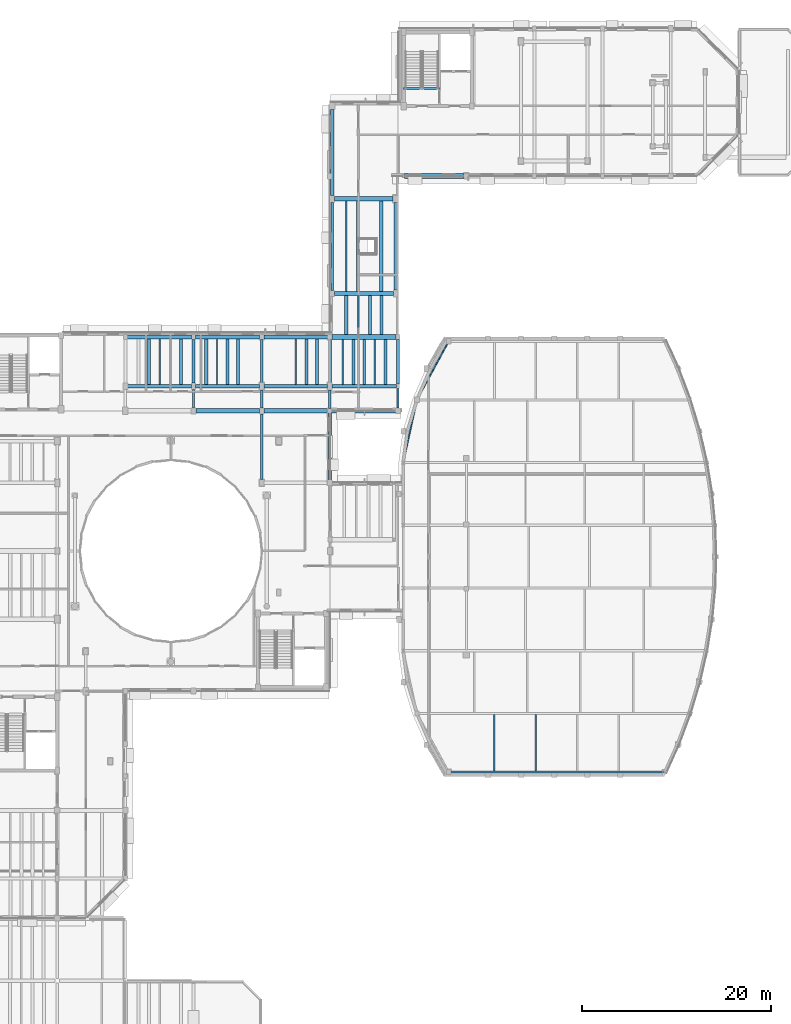
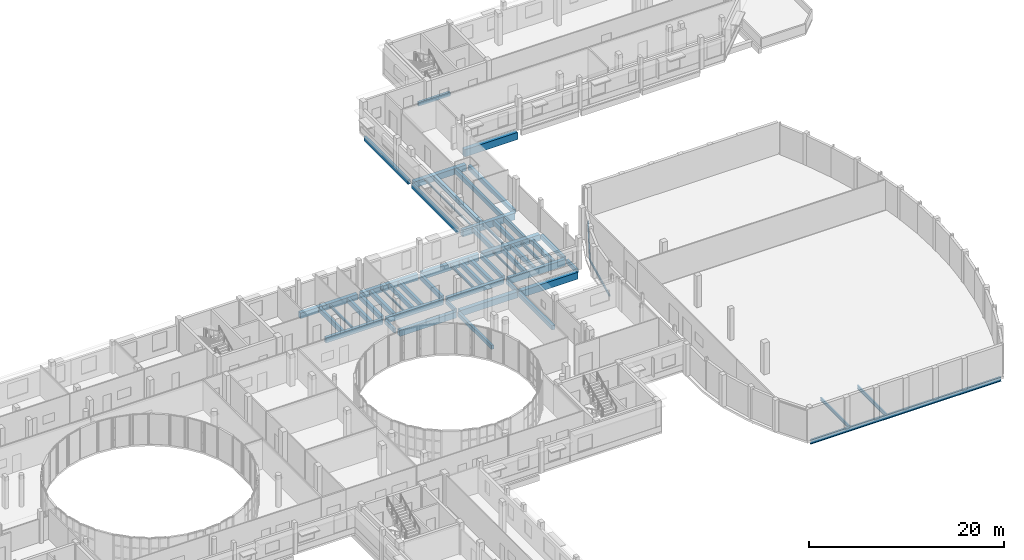
# One storey, part 49 of 105: 55 beams.
"""IFC4 building model written with IfcOpenShell, lengths in metres."""

from ifc_helpers import new_model, si_unit, direction, frame, origin, origin_2d, place, context, subcontext, project, spatial, rectangle, hollow_rectangle, i_section, extrude, material, material_profile, profile_set, type_object, element, save


model = new_model("IFC4")

# Units and contexts
model_context = context("Model", 3, precision=1e-05, world=origin(), true_north=direction((0.0, 1.0)))
body_context = subcontext(model_context, "Body", "Model", "MODEL_VIEW")
ifc_project = project(units=[si_unit("LENGTHUNIT", "METRE"), si_unit("AREAUNIT", "SQUARE_METRE"), si_unit("VOLUMEUNIT", "CUBIC_METRE"), si_unit("PLANEANGLEUNIT", "RADIAN"), si_unit("MASSUNIT", "GRAM", prefix="KILO")], contexts=[model_context])

# Site, building, storey
site_placement = place(None, origin())
site = spatial("IfcSite", under=ifc_project, at=site_placement, CompositionType="ELEMENT")
building_placement = place(site_placement, origin())
building = spatial("IfcBuilding", under=site, at=building_placement, Name="Kelanivale Promenade Academy", CompositionType="ELEMENT")
storey_placement = place(building_placement, frame((0.0, 0.0, 4.199951171875)))
storey = spatial("IfcBuildingStorey", under=building, at=storey_placement, Name="L01", CompositionType="ELEMENT", Elevation=4.199951171875)

# Beams
ifc_material_1 = material(Name="Concrete C35/45", Category="concrete")
ifc_material_profile_1 = material_profile(ifc_material_1, rectangle(XDim=0.449951171875, YDim=0.699951171875, at=origin_2d()), Name="RC-BM 450x700")
ifc_profile_set_1 = profile_set([ifc_material_profile_1], Name="Concrete C35/45")
beam_type_1 = type_object("IfcBeamType", Name="BM-03 RC-BM 450x700", PredefinedType="BEAM", material=ifc_profile_set_1)
beam_1_placement = place(storey_placement, frame((94.195068359375, 79.39990234375, -0.570068359375), z_axis=(1.0, 0.0, 0.0), x_axis=(0.0, 1.0, 0.0)))
element("IfcBeam", 1, at=beam_1_placement, inside=storey, type_object=beam_type_1, Name="L01 girder BM-03", PredefinedType="BEAM", context=body_context, shape_type="SweptSolid", body=[
    extrude(rectangle(XDim=0.449951171875, YDim=0.699951171875, at=origin_2d()), origin(), (0.0, 0.0, 1.0), 6.784912109375),
])
ifc_material_profile_2 = material_profile(ifc_material_1, rectangle(XDim=0.449951171875, YDim=0.75, at=origin_2d()), Name="RC-BM 450x750")
ifc_profile_set_2 = profile_set([ifc_material_profile_2], Name="Concrete C35/45")
beam_type_2 = type_object("IfcBeamType", Name="BM-04 RC-BM 450x750", PredefinedType="BEAM", material=ifc_profile_set_2)
beam_2_placement = place(storey_placement, frame((101.445068359375, 71.60009765625, -0.594970703125), z_axis=(1.0, 0.0, 0.0), x_axis=(0.0, 1.0, 0.0)))
element("IfcBeam", 2, at=beam_2_placement, inside=storey, type_object=beam_type_2, Name="L01 girder BM-04", PredefinedType="BEAM", context=body_context, shape_type="SweptSolid", body=[
    extrude(rectangle(XDim=0.449951171875, YDim=0.75, at=origin_2d()), origin(), (0.0, 0.0, 1.0), 6.7099609375),
])
beam_3_placement = place(storey_placement, frame((101.419921875, 79.39990234375, -0.594970703125), z_axis=(1.0, 0.0, 0.0), x_axis=(0.0, 1.0, 0.0)))
element("IfcBeam", 3, at=beam_3_placement, inside=storey, type_object=beam_type_2, Name="L01 girder BM-04", PredefinedType="BEAM", context=body_context, shape_type="SweptSolid", body=[
    extrude(rectangle(XDim=0.449951171875, YDim=0.75, at=origin_2d()), origin(), (0.0, 0.0, 1.0), 6.760009765625),
])
ifc_material_profile_3 = material_profile(ifc_material_1, rectangle(XDim=0.449951171875, YDim=0.85009765625, at=origin_2d()), Name="RC-BM 450x850")
ifc_profile_set_3 = profile_set([ifc_material_profile_3], Name="Concrete C35/45")
beam_type_3 = type_object("IfcBeamType", Name="BM-05 RC-BM 450x850", PredefinedType="BEAM", material=ifc_profile_set_3)
beam_4_placement = place(storey_placement, frame((108.6201171875, 79.39990234375, -0.64501953125), z_axis=(1.0, 0.0, 0.0), x_axis=(0.0, 1.0, 0.0)))
element("IfcBeam", 4, at=beam_4_placement, inside=storey, type_object=beam_type_3, Name="L01 girder BM-05", PredefinedType="BEAM", context=body_context, shape_type="SweptSolid", body=[
    extrude(rectangle(XDim=0.449951171875, YDim=0.85009765625, at=origin_2d()), origin(), (0.0, 0.0, 1.0), 6.759765625),
])
beam_5_placement = place(storey_placement, frame((116.094970703125, 84.0, -0.704833984375), z_axis=(1.0, 0.0, 0.0), x_axis=(0.0, 1.0, 0.0)))
element("IfcBeam", 5, at=beam_5_placement, inside=storey, type_object=beam_type_3, Name="L01 girder BM-05", PredefinedType="BEAM", context=body_context, shape_type="SweptSolid", body=[
    extrude(rectangle(XDim=0.449951171875, YDim=0.85009765625, at=origin_2d()), origin(), (0.0, 0.0, 1.0), 6.2099609375),
])
ifc_material_profile_4 = material_profile(ifc_material_1, rectangle(XDim=0.5, YDim=0.75, at=origin_2d()), Name="RC-BM 500x750")
ifc_profile_set_4 = profile_set([ifc_material_profile_4], Name="Concrete C35/45")
beam_type_4 = type_object("IfcBeamType", Name="BM-06 RC-BM 500x750", PredefinedType="BEAM", material=ifc_profile_set_4)
for number, where, z_axis, x_axis, name in (
    (6, (108.64501953125, 71.60009765625, -0.594970703125), (1.0, 0.0, 0.0), (0.0, 1.0, 0.0), "L01 girder BM-06"),
    (7, (115.820068359375, 79.39990234375, -0.655029296875), (1.0, 0.0, 0.0), (0.0, 1.0, 0.0), "L01 girder BM-06"),
):
    element("IfcBeam", number, at=place(storey_placement, frame(where, z_axis=z_axis, x_axis=x_axis)), inside=storey, type_object=beam_type_4, Name=name, PredefinedType="BEAM", context=body_context, shape_type="SweptSolid", body=[
        extrude(rectangle(XDim=0.5, YDim=0.75, at=origin_2d()), origin(), (0.0, 0.0, 1.0), 6.784912109375),
    ])
beam_6_placement = place(storey_placement, frame((116.094970703125, 94.0, -0.655029296875), z_axis=(1.0, 0.0, 0.0), x_axis=(0.0, 1.0, 0.0)))
element("IfcBeam", 8, at=beam_6_placement, inside=storey, type_object=beam_type_4, Name="L01 girder BM-06", PredefinedType="BEAM", context=body_context, shape_type="SweptSolid", body=[
    extrude(rectangle(XDim=0.5, YDim=0.75, at=origin_2d()), origin(), (0.0, 0.0, 1.0), 6.18505859375),
])
ifc_material_profile_5 = material_profile(ifc_material_1, rectangle(XDim=0.5, YDim=0.85009765625, at=origin_2d()), Name="RC-BM 500x850")
ifc_profile_set_5 = profile_set([ifc_material_profile_5], Name="Concrete C35/45")
beam_type_5 = type_object("IfcBeamType", Name="BM-07 RC-BM 500x850", PredefinedType="BEAM", material=ifc_profile_set_5)
beam_7_placement = place(storey_placement, frame((115.77001953125, 71.60009765625, -0.704833984375), z_axis=(1.0, 0.0, 0.0), x_axis=(0.0, 1.0, 0.0)))
element("IfcBeam", 9, at=beam_7_placement, inside=storey, type_object=beam_type_5, Name="L01 girder BM-07", PredefinedType="BEAM", context=body_context, shape_type="SweptSolid", body=[
    extrude(rectangle(XDim=0.5, YDim=0.85009765625, at=origin_2d()), origin(), (0.0, 0.0, 1.0), 6.784912109375),
])
ifc_material_profile_6 = material_profile(ifc_material_1, rectangle(XDim=0.5, YDim=0.89990234375, at=origin_2d()), Name="RC-BM 500x900")
ifc_profile_set_6 = profile_set([ifc_material_profile_6], Name="Concrete C35/45")
beam_type_6 = type_object("IfcBeamType", Name="BM-08 RC-BM 500x900", PredefinedType="BEAM", material=ifc_profile_set_6)
beam_8_placement = place(storey_placement, frame((123.471923828125, 96.39990234375, -0.72998046875), z_axis=(1.0, 0.0, 0.0), x_axis=(0.0, 1.0, 0.0)))
element("IfcBeam", 10, at=beam_8_placement, inside=storey, type_object=beam_type_6, Name="L01 girder BM-08", PredefinedType="BEAM", context=body_context, shape_type="SweptSolid", body=[
    extrude(rectangle(XDim=0.5, YDim=0.89990234375, at=origin_2d()), origin(), (0.0, 0.0, 1.0), 6.282958984375),
])
ifc_material_profile_7 = material_profile(ifc_material_1, rectangle(XDim=0.35009765625, YDim=0.64990234375, at=origin_2d()), Name="RC-BM 350x650")
ifc_profile_set_7 = profile_set([ifc_material_profile_7], Name="Concrete C35/45")
beam_type_7 = type_object("IfcBeamType", Name="BM-10 RC-BM 350x650", PredefinedType="BEAM", material=ifc_profile_set_7)
beam_9_placement = place(storey_placement, frame((94.2451171875, 74.199951171875, -0.544921875), z_axis=(1.0, 0.0, 0.0), x_axis=(0.0, 1.0, 0.0)))
element("IfcBeam", 11, at=beam_9_placement, inside=storey, type_object=beam_type_7, Name="L01 girder BM-10", PredefinedType="BEAM", context=body_context, shape_type="SweptSolid", body=[
    extrude(rectangle(XDim=0.35009765625, YDim=0.64990234375, at=origin_2d()), origin(), (0.0, 0.0, 1.0), 6.73486328125),
])
ifc_material_profile_8 = material_profile(ifc_material_1, rectangle(XDim=0.35009765625, YDim=0.699951171875, at=origin_2d()), Name="RC-BM 350x700")
ifc_profile_set_8 = profile_set([ifc_material_profile_8], Name="Concrete C35/45")
beam_type_8 = type_object("IfcBeamType", Name="BM-11 RC-BM 350x700", PredefinedType="BEAM", material=ifc_profile_set_8)
beam_10_placement = place(storey_placement, frame((101.419921875, 74.199951171875, -0.570068359375), z_axis=(1.0, 0.0, 0.0), x_axis=(0.0, 1.0, 0.0)))
element("IfcBeam", 12, at=beam_10_placement, inside=storey, type_object=beam_type_8, Name="L01 girder BM-11", PredefinedType="BEAM", context=body_context, shape_type="SweptSolid", body=[
    extrude(rectangle(XDim=0.35009765625, YDim=0.699951171875, at=origin_2d()), origin(), (0.0, 0.0, 1.0), 6.735107421875),
])
ifc_material_profile_9 = material_profile(ifc_material_1, rectangle(XDim=0.39990234375, YDim=0.60009765625, at=origin_2d()), Name="RC-BM 400x600")
ifc_profile_set_9 = profile_set([ifc_material_profile_9], Name="Concrete C35/45")
beam_type_9 = type_object("IfcBeamType", Name="BM-12 RC-BM 400x600", PredefinedType="BEAM", material=ifc_profile_set_9)
beam_11_placement = place(storey_placement, frame((108.64501953125, 74.199951171875, -0.52001953125), z_axis=(1.0, 0.0, 0.0), x_axis=(0.0, 1.0, 0.0)))
element("IfcBeam", 13, at=beam_11_placement, inside=storey, type_object=beam_type_9, Name="L01 girder BM-12", PredefinedType="BEAM", context=body_context, shape_type="SweptSolid", body=[
    extrude(rectangle(XDim=0.39990234375, YDim=0.60009765625, at=origin_2d()), origin(), (0.0, 0.0, 1.0), 6.7099609375),
])
ifc_material_profile_10 = material_profile(ifc_material_1, rectangle(XDim=0.39990234375, YDim=0.800048828125, at=origin_2d()), Name="RC-BM 400x800")
ifc_profile_set_10 = profile_set([ifc_material_profile_10], Name="Concrete C35/45")
beam_type_10 = type_object("IfcBeamType", Name="BM-14 RC-BM 400x800", PredefinedType="BEAM", material=ifc_profile_set_10)
beam_12_placement = place(storey_placement, frame((115.844970703125, 74.199951171875, -0.679931640625), z_axis=(1.0, 0.0, 0.0), x_axis=(0.0, 1.0, 0.0)))
element("IfcBeam", 14, at=beam_12_placement, inside=storey, type_object=beam_type_10, Name="L01 girder BM-14", PredefinedType="BEAM", context=body_context, shape_type="SweptSolid", body=[
    extrude(rectangle(XDim=0.39990234375, YDim=0.800048828125, at=origin_2d()), origin(), (0.0, 0.0, 1.0), 6.784912109375),
])
ifc_material_profile_11 = material_profile(ifc_material_1, rectangle(XDim=0.300048828125, YDim=0.5, at=origin_2d()), Name="RC-BM 300x500")
ifc_profile_set_11 = profile_set([ifc_material_profile_11], Name="Concrete C35/45")
beam_type_11 = type_object("IfcBeamType", Name="JS-01 RC-BM 300x500", PredefinedType="JOIST", material=ifc_profile_set_11)
beam_13_placement = place(storey_placement, frame((108.39990234375, 64.344970703125, -0.469970703125), z_axis=(0.0, 1.0, 0.0), x_axis=(-1.0, 0.0, 0.0)))
element("IfcBeam", 15, at=beam_13_placement, inside=storey, type_object=beam_type_11, Name="L01 beam JS-01", PredefinedType="JOIST", context=body_context, shape_type="SweptSolid", body=[
    extrude(rectangle(XDim=0.300048828125, YDim=0.5, at=origin_2d()), origin(), (0.0, 0.0, 1.0), 6.93505859375),
])
ifc_material_profile_12 = material_profile(ifc_material_1, rectangle(XDim=0.300048828125, YDim=0.550048828125, at=origin_2d()), Name="RC-BM 300x550")
ifc_profile_set_12 = profile_set([ifc_material_profile_12], Name="Concrete C35/45")
beam_type_12 = type_object("IfcBeamType", Name="JS-02 RC-BM 300x550", PredefinedType="JOIST", material=ifc_profile_set_12)
beam_14_placement = place(storey_placement, frame((115.60009765625, 74.570068359375, -0.494873046875), z_axis=(0.0, 1.0, 0.0), x_axis=(-1.0, 0.0, 0.0)))
element("IfcBeam", 16, at=beam_14_placement, inside=storey, type_object=beam_type_12, Name="L01 beam JS-02", PredefinedType="JOIST", context=body_context, shape_type="SweptSolid", body=[
    extrude(rectangle(XDim=0.300048828125, YDim=0.550048828125, at=origin_2d()), origin(), (0.0, 0.0, 1.0), 4.559814453125),
])
beam_15_placement = place(storey_placement, frame((122.800048828125, 74.445068359375, -0.554931640625), z_axis=(0.0, 1.0, 0.0), x_axis=(-1.0, 0.0, 0.0)))
element("IfcBeam", 17, at=beam_15_placement, inside=storey, type_object=beam_type_12, Name="L01 beam JS-02", PredefinedType="JOIST", context=body_context, shape_type="SweptSolid", body=[
    extrude(rectangle(XDim=0.300048828125, YDim=0.550048828125, at=origin_2d()), origin(), (0.0, 0.0, 1.0), 4.7099609375),
])
beam_16_placement = place(storey_placement, frame((104.787109375, 74.375, -0.494873046875), z_axis=(0.0, 1.0, 0.0), x_axis=(-1.0, 0.0, 0.0)))
element("IfcBeam", 18, at=beam_16_placement, inside=storey, type_object=beam_type_12, Name="L01 secondary sub-beam JS-02", PredefinedType="JOIST", context=body_context, shape_type="SweptSolid", body=[
    extrude(rectangle(XDim=0.300048828125, YDim=0.550048828125, at=origin_2d()), origin(), (0.0, 0.0, 1.0), 4.800048828125),
])
beam_17_placement = place(storey_placement, frame((118.097900390625, 74.39990234375, -0.554931640625), z_axis=(0.0, 1.0, 0.0), x_axis=(-1.0, 0.0, 0.0)))
element("IfcBeam", 19, at=beam_17_placement, inside=storey, type_object=beam_type_12, Name="L01 secondary sub-beam JS-02", PredefinedType="JOIST", context=body_context, shape_type="SweptSolid", body=[
    extrude(rectangle(XDim=0.300048828125, YDim=0.550048828125, at=origin_2d()), origin(), (0.0, 0.0, 1.0), 4.75),
])
beam_18_placement = place(storey_placement, frame((119.821044921875, 79.64990234375, -0.554931640625), z_axis=(0.0, 1.0, 0.0), x_axis=(-1.0, 0.0, 0.0)))
element("IfcBeam", 20, at=beam_18_placement, inside=storey, type_object=beam_type_12, Name="L01 secondary sub-beam JS-02", PredefinedType="JOIST", context=body_context, shape_type="SweptSolid", body=[
    extrude(rectangle(XDim=0.300048828125, YDim=0.550048828125, at=origin_2d()), origin(), (0.0, 0.0, 1.0), 4.125),
])
ifc_material_profile_13 = material_profile(ifc_material_1, rectangle(XDim=0.300048828125, YDim=0.60009765625, at=origin_2d()), Name="RC-BM 300x600")
ifc_profile_set_13 = profile_set([ifc_material_profile_13], Name="Concrete C35/45")
beam_type_13 = type_object("IfcBeamType", Name="JS-03 RC-BM 300x600", PredefinedType="JOIST", material=ifc_profile_set_13)
beam_19_placement = place(storey_placement, frame((108.39990234375, 74.570068359375, -0.52001953125), z_axis=(0.0, 1.0, 0.0), x_axis=(-1.0, 0.0, 0.0)))
element("IfcBeam", 21, at=beam_19_placement, inside=storey, type_object=beam_type_13, Name="L01 beam JS-03", PredefinedType="JOIST", context=body_context, shape_type="SweptSolid", body=[
    extrude(rectangle(XDim=0.300048828125, YDim=0.60009765625, at=origin_2d()), origin(), (0.0, 0.0, 1.0), 4.559814453125),
])
beam_20_placement = place(storey_placement, frame((115.85009765625, 84.320068359375, -0.579833984375), z_axis=(0.0, 1.0, 0.0), x_axis=(-1.0, 0.0, 0.0)))
element("IfcBeam", 22, at=beam_20_placement, inside=storey, type_object=beam_type_13, Name="L01 beam JS-03", PredefinedType="JOIST", context=body_context, shape_type="SweptSolid", body=[
    extrude(rectangle(XDim=0.300048828125, YDim=0.60009765625, at=origin_2d()), origin(), (0.0, 0.0, 1.0), 9.309814453125),
])
for number, where, z_axis, x_axis, name in (
    (23, (96.489990234375, 74.375, -0.52001953125), (0.0, 1.0, 0.0), (-1.0, 0.0, 0.0), "L01 secondary sub-beam JS-03"),
    (24, (105.909912109375, 74.375, -0.52001953125), (0.0, 1.0, 0.0), (-1.0, 0.0, 0.0), "L01 secondary sub-beam JS-03"),
):
    element("IfcBeam", number, at=place(storey_placement, frame(where, z_axis=z_axis, x_axis=x_axis)), inside=storey, type_object=beam_type_13, Name=name, PredefinedType="JOIST", context=body_context, shape_type="SweptSolid", body=[
        extrude(rectangle(XDim=0.300048828125, YDim=0.60009765625, at=origin_2d()), origin(), (0.0, 0.0, 1.0), 4.800048828125),
    ])
beam_21_placement = place(storey_placement, frame((119.22509765625, 74.39990234375, -0.579833984375), z_axis=(0.0, 1.0, 0.0), x_axis=(-1.0, 0.0, 0.0)))
element("IfcBeam", 25, at=beam_21_placement, inside=storey, type_object=beam_type_13, Name="L01 secondary sub-beam JS-03", PredefinedType="JOIST", context=body_context, shape_type="SweptSolid", body=[
    extrude(rectangle(XDim=0.300048828125, YDim=0.60009765625, at=origin_2d()), origin(), (0.0, 0.0, 1.0), 4.75),
])
beam_22_placement = place(storey_placement, frame((121.06298828125, 79.64990234375, -0.579833984375), z_axis=(0.0, 1.0, 0.0), x_axis=(-1.0, 0.0, 0.0)))
element("IfcBeam", 26, at=beam_22_placement, inside=storey, type_object=beam_type_13, Name="L01 secondary sub-beam JS-03", PredefinedType="JOIST", context=body_context, shape_type="SweptSolid", body=[
    extrude(rectangle(XDim=0.300048828125, YDim=0.60009765625, at=origin_2d()), origin(), (0.0, 0.0, 1.0), 4.125),
])
ifc_material_profile_14 = material_profile(ifc_material_1, rectangle(XDim=0.320068359375, YDim=0.550048828125, at=origin_2d()), Name="RC-BM 320x550")
ifc_profile_set_14 = profile_set([ifc_material_profile_14], Name="Concrete C35/45")
beam_type_14 = type_object("IfcBeamType", Name="JS-04 RC-BM 320x550", PredefinedType="JOIST", material=ifc_profile_set_14)
beam_23_placement = place(storey_placement, frame((115.85009765625, 94.3701171875, -0.554931640625), z_axis=(0.0, 1.0, 0.0), x_axis=(-1.0, 0.0, 0.0)))
element("IfcBeam", 27, at=beam_23_placement, inside=storey, type_object=beam_type_14, Name="L01 beam JS-04", PredefinedType="JOIST", context=body_context, shape_type="SweptSolid", body=[
    extrude(rectangle(XDim=0.320068359375, YDim=0.550048828125, at=origin_2d()), origin(), (0.0, 0.0, 1.0), 9.059814453125),
])
ifc_material_profile_15 = material_profile(ifc_material_1, rectangle(XDim=0.320068359375, YDim=0.60009765625, at=origin_2d()), Name="RC-BM 320x600")
ifc_profile_set_15 = profile_set([ifc_material_profile_15], Name="Concrete C35/45")
beam_type_15 = type_object("IfcBeamType", Name="JS-05 RC-BM 320x600", PredefinedType="JOIST", material=ifc_profile_set_15)
beam_24_placement = place(storey_placement, frame((99.85791015625, 74.375, -0.52001953125), z_axis=(0.0, 1.0, 0.0), x_axis=(-1.0, 0.0, 0.0)))
element("IfcBeam", 28, at=beam_24_placement, inside=storey, type_object=beam_type_15, Name="L01 secondary sub-beam JS-05", PredefinedType="JOIST", context=body_context, shape_type="SweptSolid", body=[
    extrude(rectangle(XDim=0.320068359375, YDim=0.60009765625, at=origin_2d()), origin(), (0.0, 0.0, 1.0), 4.800048828125),
])
beam_25_placement = place(storey_placement, frame((113.117919921875, 74.39990234375, -0.52001953125), z_axis=(0.0, 1.0, 0.0), x_axis=(-1.0, 0.0, 0.0)))
element("IfcBeam", 29, at=beam_25_placement, inside=storey, type_object=beam_type_15, Name="L01 secondary sub-beam JS-05", PredefinedType="JOIST", context=body_context, shape_type="SweptSolid", body=[
    extrude(rectangle(XDim=0.320068359375, YDim=0.60009765625, at=origin_2d()), origin(), (0.0, 0.0, 1.0), 4.775146484375),
])
beam_26_placement = place(storey_placement, frame((121.47802734375, 74.39990234375, -0.579833984375), z_axis=(0.0, 1.0, 0.0), x_axis=(-1.0, 0.0, 0.0)))
element("IfcBeam", 30, at=beam_26_placement, inside=storey, type_object=beam_type_15, Name="L01 secondary sub-beam JS-05", PredefinedType="JOIST", context=body_context, shape_type="SweptSolid", body=[
    extrude(rectangle(XDim=0.320068359375, YDim=0.60009765625, at=origin_2d()), origin(), (0.0, 0.0, 1.0), 4.75),
])
beam_27_placement = place(storey_placement, frame((118.569091796875, 84.22509765625, -0.579833984375), z_axis=(0.0, 1.0, 0.0), x_axis=(-1.0, 0.0, 0.0)))
element("IfcBeam", 31, at=beam_27_placement, inside=storey, type_object=beam_type_15, Name="L01 secondary sub-beam JS-05", PredefinedType="JOIST", context=body_context, shape_type="SweptSolid", body=[
    extrude(rectangle(XDim=0.320068359375, YDim=0.60009765625, at=origin_2d()), origin(), (0.0, 0.0, 1.0), 9.52490234375),
])
ifc_material_profile_16 = material_profile(ifc_material_1, rectangle(XDim=0.35009765625, YDim=0.550048828125, at=origin_2d()), Name="RC-BM 350x550")
ifc_profile_set_16 = profile_set([ifc_material_profile_16], Name="Concrete C35/45")
beam_type_16 = type_object("IfcBeamType", Name="JS-06 RC-BM 350x550", PredefinedType="JOIST", material=ifc_profile_set_16)
beam_28_placement = place(storey_placement, frame((101.199951171875, 74.544921875, -0.494873046875), z_axis=(0.0, 1.0, 0.0), x_axis=(-1.0, 0.0, 0.0)))
element("IfcBeam", 32, at=beam_28_placement, inside=storey, type_object=beam_type_16, Name="L01 beam JS-06", PredefinedType="JOIST", context=body_context, shape_type="SweptSolid", body=[
    extrude(rectangle(XDim=0.35009765625, YDim=0.550048828125, at=origin_2d()), origin(), (0.0, 0.0, 1.0), 4.5849609375),
])
beam_29_placement = place(storey_placement, frame((115.60009765625, 64.294921875, -0.494873046875), z_axis=(0.0, 1.0, 0.0), x_axis=(-1.0, 0.0, 0.0)))
element("IfcBeam", 33, at=beam_29_placement, inside=storey, type_object=beam_type_16, Name="L01 beam JS-06", PredefinedType="JOIST", context=body_context, shape_type="SweptSolid", body=[
    extrude(rectangle(XDim=0.35009765625, YDim=0.550048828125, at=origin_2d()), origin(), (0.0, 0.0, 1.0), 7.06005859375),
])
beam_30_placement = place(storey_placement, frame((122.550048828125, 84.3701171875, -0.554931640625), z_axis=(0.0, 1.0, 0.0), x_axis=(-1.0, 0.0, 0.0)))
element("IfcBeam", 34, at=beam_30_placement, inside=storey, type_object=beam_type_16, Name="L01 beam JS-06", PredefinedType="JOIST", context=body_context, shape_type="SweptSolid", body=[
    extrude(rectangle(XDim=0.35009765625, YDim=0.550048828125, at=origin_2d()), origin(), (0.0, 0.0, 1.0), 9.259765625),
])
beam_31_placement = place(storey_placement, frame((102.54296875, 74.375, -0.494873046875), z_axis=(0.0, 1.0, 0.0), x_axis=(-1.0, 0.0, 0.0)))
element("IfcBeam", 35, at=beam_31_placement, inside=storey, type_object=beam_type_16, Name="L01 secondary sub-beam JS-06", PredefinedType="JOIST", context=body_context, shape_type="SweptSolid", body=[
    extrude(rectangle(XDim=0.35009765625, YDim=0.550048828125, at=origin_2d()), origin(), (0.0, 0.0, 1.0), 4.800048828125),
])
beam_32_placement = place(storey_placement, frame((114.237060546875, 74.39990234375, -0.494873046875), z_axis=(0.0, 1.0, 0.0), x_axis=(-1.0, 0.0, 0.0)))
element("IfcBeam", 36, at=beam_32_placement, inside=storey, type_object=beam_type_16, Name="L01 secondary sub-beam JS-06", PredefinedType="JOIST", context=body_context, shape_type="SweptSolid", body=[
    extrude(rectangle(XDim=0.35009765625, YDim=0.550048828125, at=origin_2d()), origin(), (0.0, 0.0, 1.0), 4.775146484375),
])
beam_33_placement = place(storey_placement, frame((117.3369140625, 79.64990234375, -0.554931640625), z_axis=(0.0, 1.0, 0.0), x_axis=(-1.0, 0.0, 0.0)))
element("IfcBeam", 37, at=beam_33_placement, inside=storey, type_object=beam_type_16, Name="L01 secondary sub-beam JS-06", PredefinedType="JOIST", context=body_context, shape_type="SweptSolid", body=[
    extrude(rectangle(XDim=0.35009765625, YDim=0.550048828125, at=origin_2d()), origin(), (0.0, 0.0, 1.0), 4.125),
])
beam_34_placement = place(storey_placement, frame((121.04296875, 84.22509765625, -0.554931640625), z_axis=(0.0, 1.0, 0.0), x_axis=(-1.0, 0.0, 0.0)))
element("IfcBeam", 38, at=beam_34_placement, inside=storey, type_object=beam_type_16, Name="L01 secondary sub-beam JS-06", PredefinedType="JOIST", context=body_context, shape_type="SweptSolid", body=[
    extrude(rectangle(XDim=0.35009765625, YDim=0.550048828125, at=origin_2d()), origin(), (0.0, 0.0, 1.0), 9.52490234375),
])
ifc_material_profile_17 = material_profile(ifc_material_1, rectangle(XDim=0.25, YDim=0.5, at=origin_2d()), Name="RC-BM 250x500")
ifc_profile_set_17 = profile_set([ifc_material_profile_17], Name="Concrete C35/45")
beam_type_17 = type_object("IfcBeamType", Name="LN-02 RC-BM 250x500", PredefinedType="LINTEL", material=ifc_profile_set_17)
beam_35_placement = place(storey_placement, frame((101.199951171875, 71.919921875, -0.469970703125), z_axis=(0.0, 1.0, 0.0), x_axis=(-1.0, 0.0, 0.0)))
element("IfcBeam", 39, at=beam_35_placement, inside=storey, type_object=beam_type_17, Name="L01 beam LN-02", PredefinedType="LINTEL", context=body_context, shape_type="SweptSolid", body=[
    extrude(rectangle(XDim=0.25, YDim=0.5, at=origin_2d()), origin(), (0.0, 0.0, 1.0), 1.93505859375),
])
beam_36_placement = place(storey_placement, frame((108.39990234375, 71.919921875, -0.469970703125), z_axis=(0.0, 1.0, 0.0), x_axis=(-1.0, 0.0, 0.0)))
element("IfcBeam", 40, at=beam_36_placement, inside=storey, type_object=beam_type_17, Name="L01 beam LN-02", PredefinedType="LINTEL", context=body_context, shape_type="SweptSolid", body=[
    extrude(rectangle(XDim=0.25, YDim=0.5, at=origin_2d()), origin(), (0.0, 0.0, 1.0), 1.91015625),
])
beam_37_placement = place(storey_placement, frame((115.60009765625, 71.844970703125, -0.469970703125), z_axis=(0.0, 1.0, 0.0), x_axis=(-1.0, 0.0, 0.0)))
element("IfcBeam", 41, at=beam_37_placement, inside=storey, type_object=beam_type_17, Name="L01 beam LN-02", PredefinedType="LINTEL", context=body_context, shape_type="SweptSolid", body=[
    extrude(rectangle(XDim=0.25, YDim=0.5, at=origin_2d()), origin(), (0.0, 0.0, 1.0), 1.985107421875),
])
beam_38_placement = place(storey_placement, frame((122.800048828125, 71.89501953125, -0.530029296875), z_axis=(0.0, 1.0, 0.0), x_axis=(-1.0, 0.0, 0.0)))
element("IfcBeam", 42, at=beam_38_placement, inside=storey, type_object=beam_type_17, Name="L01 beam LN-02", PredefinedType="LINTEL", context=body_context, shape_type="SweptSolid", body=[
    extrude(rectangle(XDim=0.25, YDim=0.5, at=origin_2d()), origin(), (0.0, 0.0, 1.0), 2.06005859375),
])
beam_39_placement = place(storey_placement, frame((123.39990234375, 105.655029296875, -0.25), z_axis=(1.0, 0.0, 0.0), x_axis=(0.0, 1.0, 0.0)))
element("IfcBeam", 43, at=beam_39_placement, inside=storey, type_object=beam_type_17, Name="CORE-5 stair arrival trimmer beam L01", PredefinedType="LINTEL", context=body_context, shape_type="SweptSolid", body=[
    extrude(rectangle(XDim=0.25, YDim=0.5, at=origin_2d()), origin(), (0.0, 0.0, 1.0), 3.775146484375),
])
ifc_material_2 = material(Name="Steel S355", Category="steel")
ifc_material_profile_18 = material_profile(ifc_material_2, i_section(OverallWidth=0.13330078125, OverallDepth=0.203125, WebThickness=0.005615234375, FlangeThickness=0.0078125, FilletRadius=0.007568359375, at=origin_2d()), Name="UB 203x133x25")
ifc_profile_set_18 = profile_set([ifc_material_profile_18], Name="Steel S355")
beam_type_18 = type_object("IfcBeamType", Name="SB-01 UB 203x133x25", PredefinedType="JOIST", material=ifc_profile_set_18)
beam_40_placement = place(storey_placement, frame((103.6650390625, 74.375, -0.322021484375), z_axis=(0.0, 1.0, 0.0), x_axis=(-1.0, 0.0, 0.0)))
element("IfcBeam", 44, at=beam_40_placement, inside=storey, type_object=beam_type_18, Name="L01 secondary sub-beam SB-01", PredefinedType="JOIST", context=body_context, shape_type="SweptSolid", body=[
    extrude(i_section(OverallWidth=0.13330078125, OverallDepth=0.203125, WebThickness=0.005615234375, FlangeThickness=0.0078125, FilletRadius=0.007568359375, at=origin_2d()), origin(), (0.0, 0.0, 1.0), 4.800048828125),
])
beam_41_placement = place(storey_placement, frame((117.33203125, 84.22509765625, -0.3818359375), z_axis=(0.0, 1.0, 0.0), x_axis=(-1.0, 0.0, 0.0)))
element("IfcBeam", 45, at=beam_41_placement, inside=storey, type_object=beam_type_18, Name="L01 secondary sub-beam SB-01", PredefinedType="JOIST", context=body_context, shape_type="SweptSolid", body=[
    extrude(i_section(OverallWidth=0.13330078125, OverallDepth=0.203125, WebThickness=0.005615234375, FlangeThickness=0.0078125, FilletRadius=0.007568359375, at=origin_2d()), origin(), (0.0, 0.0, 1.0), 9.52490234375),
])
ifc_material_profile_19 = material_profile(ifc_material_2, i_section(OverallWidth=0.14599609375, OverallDepth=0.25146484375, WebThickness=0.006103515625, FlangeThickness=0.008544921875, FilletRadius=0.007568359375, at=origin_2d()), Name="UB 254x146x31")
ifc_profile_set_19 = profile_set([ifc_material_profile_19], Name="Steel S355")
beam_type_19 = type_object("IfcBeamType", Name="SB-02 UB 254x146x31", PredefinedType="JOIST", material=ifc_profile_set_19)
beam_42_placement = place(storey_placement, frame((116.971923828125, 74.39990234375, -0.406005859375), z_axis=(0.0, 1.0, 0.0), x_axis=(-1.0, 0.0, 0.0)))
element("IfcBeam", 46, at=beam_42_placement, inside=storey, type_object=beam_type_19, Name="L01 secondary sub-beam SB-02", PredefinedType="JOIST", context=body_context, shape_type="SweptSolid", body=[
    extrude(i_section(OverallWidth=0.14599609375, OverallDepth=0.25146484375, WebThickness=0.006103515625, FlangeThickness=0.008544921875, FilletRadius=0.007568359375, at=origin_2d()), origin(), (0.0, 0.0, 1.0), 4.75),
])
ifc_material_profile_20 = material_profile(ifc_material_2, i_section(OverallWidth=0.1650390625, OverallDepth=0.303466796875, WebThickness=0.006103515625, FlangeThickness=0.01025390625, FilletRadius=0.0087890625, at=origin_2d()), Name="UB 305x165x40")
ifc_profile_set_20 = profile_set([ifc_material_profile_20], Name="Steel S355")
beam_type_20 = type_object("IfcBeamType", Name="SB-03 UB 305x165x40", PredefinedType="BEAM", material=ifc_profile_set_20)
beam_43_placement = place(storey_placement, frame((97.613037109375, 74.375, -0.3720703125), z_axis=(0.0, 1.0, 0.0), x_axis=(-1.0, 0.0, 0.0)))
element("IfcBeam", 47, at=beam_43_placement, inside=storey, type_object=beam_type_20, Name="L01 secondary sub-beam SB-03", PredefinedType="BEAM", context=body_context, shape_type="SweptSolid", body=[
    extrude(i_section(OverallWidth=0.1650390625, OverallDepth=0.303466796875, WebThickness=0.006103515625, FlangeThickness=0.01025390625, FilletRadius=0.0087890625, at=origin_2d()), origin(), (0.0, 0.0, 1.0), 4.800048828125),
])
beam_44_placement = place(storey_placement, frame((118.5791015625, 79.64990234375, -0.431884765625), z_axis=(0.0, 1.0, 0.0), x_axis=(-1.0, 0.0, 0.0)))
element("IfcBeam", 48, at=beam_44_placement, inside=storey, type_object=beam_type_20, Name="L01 secondary sub-beam SB-03", PredefinedType="BEAM", context=body_context, shape_type="SweptSolid", body=[
    extrude(i_section(OverallWidth=0.1650390625, OverallDepth=0.303466796875, WebThickness=0.006103515625, FlangeThickness=0.01025390625, FilletRadius=0.0087890625, at=origin_2d()), origin(), (0.0, 0.0, 1.0), 4.125),
])
ifc_material_profile_21 = material_profile(ifc_material_2, i_section(OverallWidth=0.17138671875, OverallDepth=0.35498046875, WebThickness=0.00732421875, FlangeThickness=0.011474609375, FilletRadius=0.01025390625, at=origin_2d()), Name="UB 356x171x51")
ifc_profile_set_21 = profile_set([ifc_material_profile_21], Name="Steel S355")
beam_type_21 = type_object("IfcBeamType", Name="SB-04 UB 356x171x51", PredefinedType="BEAM", material=ifc_profile_set_21)
beam_45_placement = place(storey_placement, frame((112.0, 74.39990234375, -0.39697265625), z_axis=(0.0, 1.0, 0.0), x_axis=(-1.0, 0.0, 0.0)))
element("IfcBeam", 49, at=beam_45_placement, inside=storey, type_object=beam_type_21, Name="L01 secondary sub-beam SB-04", PredefinedType="BEAM", context=body_context, shape_type="SweptSolid", body=[
    extrude(i_section(OverallWidth=0.17138671875, OverallDepth=0.35498046875, WebThickness=0.00732421875, FlangeThickness=0.011474609375, FilletRadius=0.01025390625, at=origin_2d()), origin(), (0.0, 0.0, 1.0), 4.775146484375),
])
beam_46_placement = place(storey_placement, frame((132.97802734375, 33.550048828125, -0.44189453125), z_axis=(0.0, 1.0, 0.0), x_axis=(-1.0, 0.0, 0.0)))
element("IfcBeam", 50, at=beam_46_placement, inside=storey, type_object=beam_type_21, Name="L01 hall floor secondary joist SB-04", PredefinedType="BEAM", context=body_context, shape_type="SweptSolid", body=[
    extrude(i_section(OverallWidth=0.17138671875, OverallDepth=0.35498046875, WebThickness=0.00732421875, FlangeThickness=0.011474609375, FilletRadius=0.01025390625, at=origin_2d()), origin(), (0.0, 0.0, 1.0), 5.97900390625),
])
ifc_material_profile_22 = material_profile(ifc_material_2, i_section(OverallWidth=0.177978515625, OverallDepth=0.406494140625, WebThickness=0.0078125, FlangeThickness=0.0126953125, FilletRadius=0.01025390625, at=origin_2d()), Name="UB 406x178x60")
ifc_profile_set_22 = profile_set([ifc_material_profile_22], Name="Steel S355")
beam_type_22 = type_object("IfcBeamType", Name="SB-05 UB 406x178x60", PredefinedType="BEAM", material=ifc_profile_set_22)
beam_47_placement = place(storey_placement, frame((120.35205078125, 74.39990234375, -0.48291015625), z_axis=(0.0, 1.0, 0.0), x_axis=(-1.0, 0.0, 0.0)))
element("IfcBeam", 51, at=beam_47_placement, inside=storey, type_object=beam_type_22, Name="L01 secondary sub-beam SB-05", PredefinedType="BEAM", context=body_context, shape_type="SweptSolid", body=[
    extrude(i_section(OverallWidth=0.177978515625, OverallDepth=0.406494140625, WebThickness=0.0078125, FlangeThickness=0.0126953125, FilletRadius=0.01025390625, at=origin_2d()), origin(), (0.0, 0.0, 1.0), 4.75),
])
ifc_material_profile_23 = material_profile(ifc_material_2, i_section(OverallWidth=0.18994140625, OverallDepth=0.453369140625, WebThickness=0.008544921875, FlangeThickness=0.0126953125, FilletRadius=0.01025390625, at=origin_2d()), Name="UB 457x191x67")
ifc_profile_set_23 = profile_set([ifc_material_profile_23], Name="Steel S355")
beam_type_23 = type_object("IfcBeamType", Name="SB-06 UB 457x191x67", PredefinedType="BEAM", material=ifc_profile_set_23)
beam_48_placement = place(storey_placement, frame((137.35498046875, 33.550048828125, -0.491943359375), z_axis=(0.0, 1.0, 0.0), x_axis=(-1.0, 0.0, 0.0)))
element("IfcBeam", 52, at=beam_48_placement, inside=storey, type_object=beam_type_23, Name="L01 hall floor secondary joist SB-06", PredefinedType="BEAM", context=body_context, shape_type="SweptSolid", body=[
    extrude(i_section(OverallWidth=0.18994140625, OverallDepth=0.453369140625, WebThickness=0.008544921875, FlangeThickness=0.0126953125, FilletRadius=0.01025390625, at=origin_2d()), origin(), (0.0, 0.0, 1.0), 5.97900390625),
])
ifc_material_profile_24 = material_profile(ifc_material_2, i_section(OverallWidth=0.209228515625, OverallDepth=0.533203125, WebThickness=0.010009765625, FlangeThickness=0.015625, FilletRadius=0.0126953125, at=origin_2d()), Name="UB 533x210x92")
ifc_profile_set_24 = profile_set([ifc_material_profile_24], Name="Steel S355")
beam_type_24 = type_object("IfcBeamType", Name="SB-08 UB 533x210x92", PredefinedType="BEAM", material=ifc_profile_set_24)
beam_49_placement = place(storey_placement, frame((128.25, 33.449951171875, -0.531982421875), z_axis=(1.0, 0.0, 0.0), x_axis=(0.0, 1.0, 0.0)))
element("IfcBeam", 53, at=beam_49_placement, inside=storey, type_object=beam_type_24, Name="L01 hall floor steel girder SB-08", PredefinedType="BEAM", context=body_context, shape_type="SweptSolid", body=[
    extrude(i_section(OverallWidth=0.209228515625, OverallDepth=0.533203125, WebThickness=0.010009765625, FlangeThickness=0.015625, FilletRadius=0.0126953125, at=origin_2d()), origin(), (0.0, 0.0, 1.0), 22.587890625),
])
ifc_material_profile_25 = material_profile(ifc_material_2, hollow_rectangle(XDim=0.14990234375, YDim=0.25, WallThickness=0.010009765625, InnerFilletRadius=0.010009765625, OuterFilletRadius=0.02001953125, at=origin_2d()), Name="RHS 250x150x10.0")
ifc_profile_set_25 = profile_set([ifc_material_profile_25], Name="Steel S355")
beam_type_25 = type_object("IfcBeamType", Name="SB-13 RHS 250x150x10.0", PredefinedType="SPANDREL", material=ifc_profile_set_25)
beam_50_placement = place(storey_placement, frame((123.37109375, 66.240966796875, -0.389892578125), z_axis=(0.213831783118, 0.976870497317, 0.0), x_axis=(-0.976870497317, 0.213831783118, 0.0)))
element("IfcBeam", 54, at=beam_50_placement, inside=storey, type_object=beam_type_25, Name="Assembly Hall Arc Pavilion inner kidney ring beam SB-13", PredefinedType="SPANDREL", context=body_context, shape_type="SweptSolid", body=[
    extrude(hollow_rectangle(XDim=0.14990234375, YDim=0.25, WallThickness=0.010009765625, InnerFilletRadius=0.010009765625, OuterFilletRadius=0.02001953125, at=origin_2d()), origin(), (0.0, 0.0, 1.0), 6.58447265625),
])
beam_51_placement = place(storey_placement, frame((124.847900390625, 72.85888671875, -0.389892578125), z_axis=(0.476558403155, 0.879142814554, 0.0), x_axis=(-0.879142814554, 0.476558403155, 0.0)))
element("IfcBeam", 55, at=beam_51_placement, inside=storey, type_object=beam_type_25, Name="Assembly Hall Arc Pavilion inner kidney ring beam SB-13", PredefinedType="SPANDREL", context=body_context, shape_type="SweptSolid", body=[
    extrude(hollow_rectangle(XDim=0.14990234375, YDim=0.25, WallThickness=0.010009765625, InnerFilletRadius=0.010009765625, OuterFilletRadius=0.02001953125, at=origin_2d()), origin(), (0.0, 0.0, 1.0), 6.828369140625),
])

save(model, "model.ifc")
